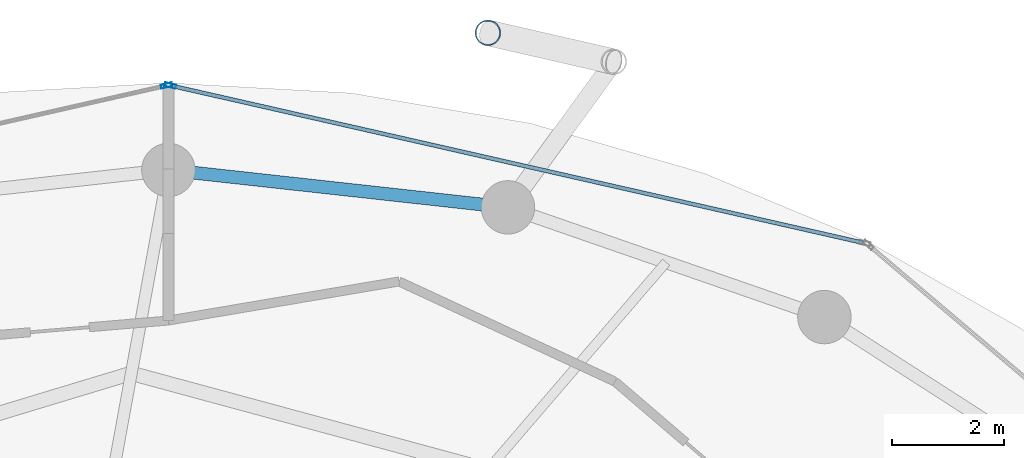
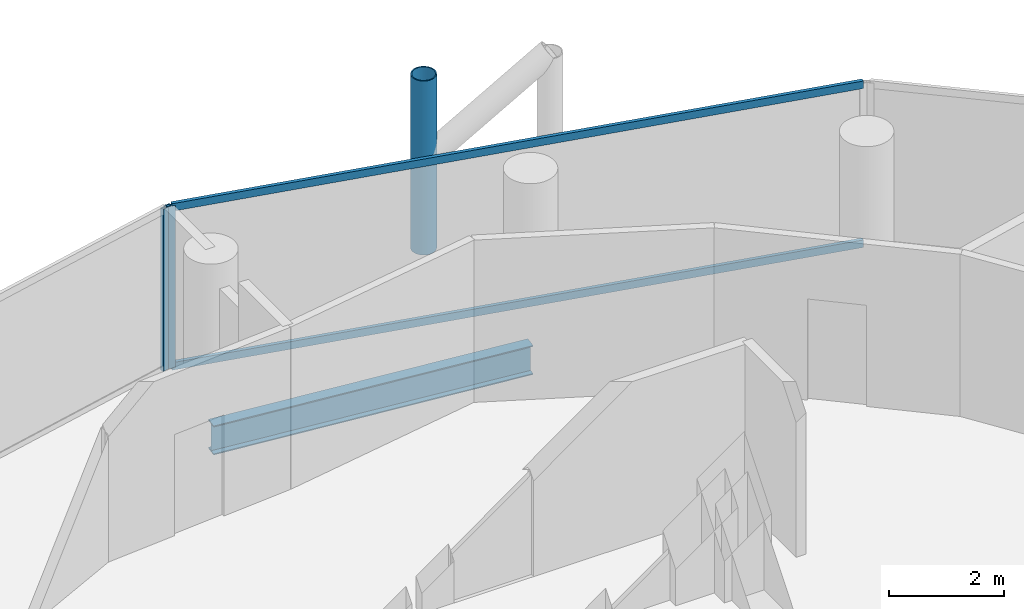
# One storey, part 17 of 26: 5 members, 1 beam, 2 elements without a shape of their own.
"""IFC4 building model written with IfcOpenShell, lengths in metres."""

from ifc_helpers import new_model, si_unit, direction, frame, origin, origin_2d, place, context, subcontext, project, spatial, hollow_rectangle, hollow_circle, i_section, extrude, material, layer, layer_set, material_profile, profile_set, type_object, element, aggregate, save


model = new_model("IFC4")

# Units and contexts
model_context = context("Model", 3, precision=1e-05, world=origin(), true_north=direction((0.0, 1.0)))
body_context = subcontext(model_context, "Body", "Model", "MODEL_VIEW")
ifc_project = project(units=[si_unit("LENGTHUNIT", "METRE"), si_unit("AREAUNIT", "SQUARE_METRE"), si_unit("VOLUMEUNIT", "CUBIC_METRE"), si_unit("PLANEANGLEUNIT", "RADIAN"), si_unit("MASSUNIT", "GRAM", prefix="KILO")], contexts=[model_context])

# Site, building, storey
site_placement = place(None, origin())
site = spatial("IfcSite", under=ifc_project, at=site_placement, CompositionType="ELEMENT")
building_placement = place(site_placement, origin())
building = spatial("IfcBuilding", under=site, at=building_placement, Name="Nuhasar Tower", CompositionType="ELEMENT")
storey_placement = place(building_placement, frame((0.0, 0.0, 177.449951171875)))
storey = spatial("IfcBuildingStorey", under=building, at=storey_placement, Name="L43", CompositionType="ELEMENT", Elevation=177.449951171875)

# Beam
ifc_material_1 = material(Name="Steel S355", Category="steel")
ifc_material_profile_1 = material_profile(ifc_material_1, i_section(OverallWidth=0.22998046875, OverallDepth=0.616943359375, WebThickness=0.01318359375, FlangeThickness=0.022216796875, at=origin_2d()), Name="W24X94")
ifc_profile_set_1 = profile_set([ifc_material_profile_1], Name="Steel S355")
beam_type = type_object("IfcBeamType", Name="BM-RING-W24X94", PredefinedType="SPANDREL", material=ifc_profile_set_1)
beam_placement = place(storey_placement, frame((45.04296875, 45.68408203125, -0.558837890625), z_axis=(-0.993981289157, 0.109549974015, 0.0), x_axis=(-0.109549974015, -0.993981289157, 0.0)))
element("IfcBeam", 1, at=beam_placement, inside=storey, type_object=beam_type, Name="L43 Perimeter Ring Spandrel 06", PredefinedType="SPANDREL", context=body_context, shape_type="SweptSolid", body=[
    extrude(i_section(OverallWidth=0.22998046875, OverallDepth=0.616943359375, WebThickness=0.01318359375, FlangeThickness=0.022216796875, at=origin_2d()), origin(), (0.0, 0.0, 1.0), 6.07958984375),
])

# Curtain wall, member
ifc_material_2 = material(Name="Aluminium 6063-T6", Category="aluminium")
ifc_layer = layer(ifc_material_2, 0.199951171875)
ifc_layer_set = layer_set([ifc_layer], Name="Aluminium 6063-T6")
curtain_wall_type = type_object("IfcCurtainWallType", Name="CW-Z2-HTL", PredefinedType="NOTDEFINED", material=ifc_layer_set)
curtain_wall_1_placement = place(storey_placement, origin())
curtain_wall_1 = element("IfcCurtainWall", 2, at=curtain_wall_1_placement, inside=storey, type_object=curtain_wall_type, Name="L43 Unitised Curtain Wall 03", PredefinedType="NOTDEFINED")
ifc_material_profile_2 = material_profile(ifc_material_2, hollow_rectangle(XDim=0.070068359375, YDim=0.199951171875, WallThickness=0.0048828125, at=origin_2d()), Name="CWM-3")
ifc_profile_set_2 = profile_set([ifc_material_profile_2], Name="Aluminium 6063-T6")
member_type_1 = type_object("IfcMemberType", Name="CW-MUL-S3", PredefinedType="MULLION", material=ifc_profile_set_2)
member_1_placement = place(storey_placement, frame((39.0341796875, 47.852294921875, 0.0), z_axis=(0.0, 0.0, 1.0), x_axis=(-0.22139729566, -0.975183694221, 0.0)))
member_1 = element("IfcMember", 3, at=member_1_placement, type_object=member_type_1, Name="CW-Z2 mullion 2", PredefinedType="MULLION", context=body_context, shape_type="SweptSolid", body=[
    extrude(hollow_rectangle(XDim=0.070068359375, YDim=0.199951171875, WallThickness=0.0048828125, at=origin_2d()), origin(), (0.0, 0.0, 1.0), 3.449951171875),
])

curtain_wall_2_placement = place(storey_placement, origin())
curtain_wall_2 = element("IfcCurtainWall", 4, at=curtain_wall_2_placement, inside=storey, type_object=curtain_wall_type, Name="L43 Unitised Curtain Wall 04", PredefinedType="NOTDEFINED")
member_2_placement = place(storey_placement, frame((38.9658203125, 47.852294921875, 0.0), z_axis=(0.0, 0.0, 1.0), x_axis=(0.22139729566, -0.975183694221, 0.0)))
member_2 = element("IfcMember", 5, at=member_2_placement, type_object=member_type_1, Name="CW-Z2 mullion 1", PredefinedType="MULLION", context=body_context, shape_type="SweptSolid", body=[
    extrude(hollow_rectangle(XDim=0.070068359375, YDim=0.199951171875, WallThickness=0.0048828125, at=origin_2d()), origin(), (0.0, 0.0, 1.0), 3.449951171875),
])
aggregate(curtain_wall_2, [member_2])

# Member
ifc_material_profile_3 = material_profile(ifc_material_2, hollow_rectangle(XDim=0.070068359375, YDim=0.159912109375, WallThickness=0.00439453125, at=origin_2d()), Name="CWT-3")
ifc_profile_set_3 = profile_set([ifc_material_profile_3], Name="Aluminium 6063-T6")
member_type_2 = type_object("IfcMemberType", Name="CW-TRN-S3", PredefinedType="USERDEFINED", material=ifc_profile_set_3)
member_3_placement = place(storey_placement, frame((51.36181640625, 45.053466796875, 0.03515625), z_axis=(-0.975183434528, 0.221398439519, 0.0), x_axis=(-0.221398439519, -0.975183434528, 0.0)))
member_3 = element("IfcMember", 6, at=member_3_placement, type_object=member_type_2, Name="CW-Z2 transom 1.1", ObjectType="TRANSOM", PredefinedType="USERDEFINED", context=body_context, shape_type="SweptSolid", body=[
    extrude(hollow_rectangle(XDim=0.070068359375, YDim=0.159912109375, WallThickness=0.00439453125, at=origin_2d()), origin(), (0.0, 0.0, 1.0), 12.606201171875),
])

member_4_placement = place(storey_placement, frame((51.36181640625, 45.053466796875, 3.4150390625), z_axis=(-0.975183434528, 0.221398439519, 0.0), x_axis=(-0.221398439519, -0.975183434528, 0.0)))
member_4 = element("IfcMember", 7, at=member_4_placement, type_object=member_type_2, Name="CW-Z2 transom 1.2", ObjectType="TRANSOM", PredefinedType="USERDEFINED", context=body_context, shape_type="SweptSolid", body=[
    extrude(hollow_rectangle(XDim=0.070068359375, YDim=0.159912109375, WallThickness=0.00439453125, at=origin_2d()), origin(), (0.0, 0.0, 1.0), 12.606201171875),
])

aggregate(curtain_wall_1, [member_1, member_3, member_4])

ifc_material_3 = material(Name="Steel S460", Category="steel")
ifc_material_profile_4 = material_profile(ifc_material_3, hollow_circle(Radius=0.228515625, WallThickness=0.022216796875, at=origin_2d()), Name="HSS457X22.2")
ifc_profile_set_4 = profile_set([ifc_material_profile_4], Name="Steel S460")
member_type_3 = type_object("IfcMemberType", Name="EXO-BRONZE-457", PredefinedType="BRACE", material=ifc_profile_set_4)
member_5_placement = place(storey_placement, frame((44.68603515625, 48.7900390625, 0.0), z_axis=(0.0, 0.0, 1.0), x_axis=(1.0, 0.0, 0.0)))
element("IfcMember", 8, at=member_5_placement, inside=storey, type_object=member_type_3, Name="L43 Exoskeleton Chord Column EC-03B", PredefinedType="BRACE", context=body_context, shape_type="SweptSolid", body=[
    extrude(hollow_circle(Radius=0.228515625, WallThickness=0.022216796875, at=origin_2d()), origin(), (0.0, 0.0, 1.0), 3.699951171875),
])

save(model, "model.ifc")
